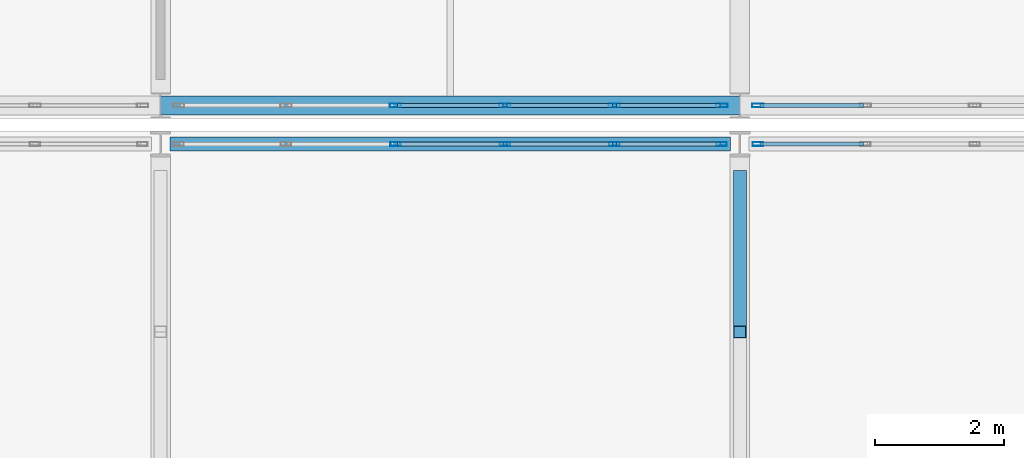
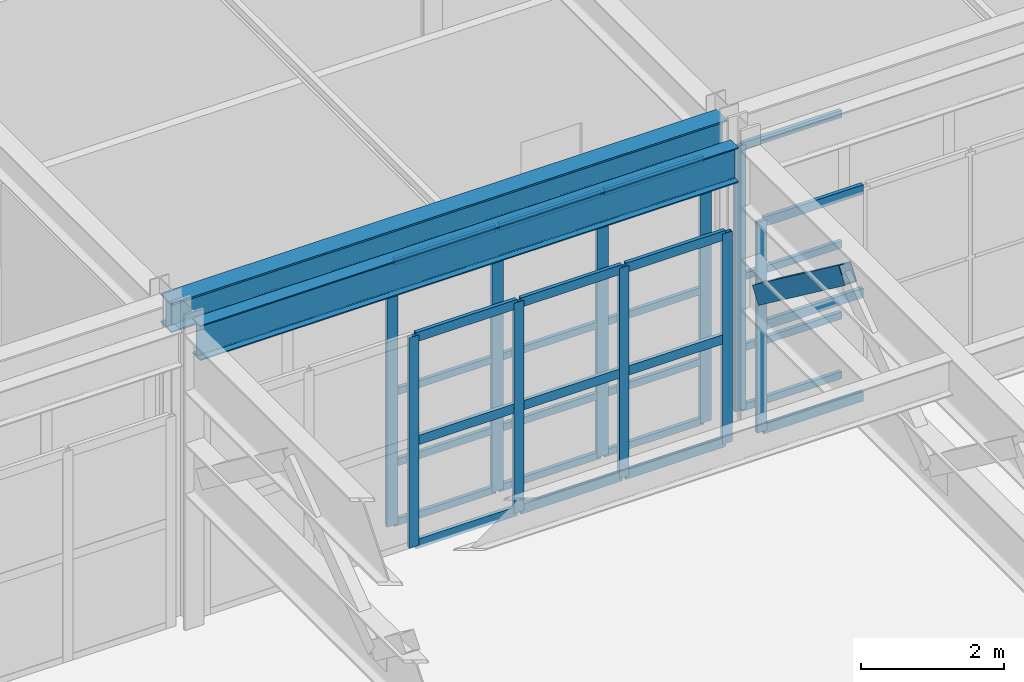
# One storey, part 45 of 210: 39 members, 2 beams, 4 elements without a shape of their own.
"""IFC4 building model written with IfcOpenShell, lengths in metres."""

from ifc_helpers import new_model, si_unit, direction, frame, origin, origin_2d, place, context, subcontext, project, spatial, hollow_rectangle, i_section, extrude, material, material_profile, profile_set, type_object, element, aggregate, save


model = new_model("IFC4")

# Units and contexts
model_context = context("Model", 3, precision=1e-05, world=origin(), true_north=direction((0.0, 1.0)))
body_context = subcontext(model_context, "Body", "Model", "MODEL_VIEW")
ifc_project = project(units=[si_unit("LENGTHUNIT", "METRE"), si_unit("AREAUNIT", "SQUARE_METRE"), si_unit("VOLUMEUNIT", "CUBIC_METRE"), si_unit("PLANEANGLEUNIT", "RADIAN"), si_unit("MASSUNIT", "GRAM", prefix="KILO")], contexts=[model_context])

# Site, building, storey
site_placement = place(None, origin())
site = spatial("IfcSite", under=ifc_project, at=site_placement, CompositionType="ELEMENT")
building_placement = place(site_placement, origin())
building = spatial("IfcBuilding", under=site, at=building_placement, Name="Kaldris Quays Convention Centre", CompositionType="ELEMENT")
storey_placement = place(building_placement, frame((0.0, 0.0, 6.0)))
storey = spatial("IfcBuildingStorey", under=building, at=storey_placement, Name="L01", CompositionType="ELEMENT", Elevation=6.0)

# Curtain wall, members
ifc_material_1 = material(Name="Anodized aluminium AW-6060 and triple glazing", Category="aluminium")
curtain_wall_type_1 = type_object("IfcCurtainWallType", Name="UNITISED CURTAIN WALL CW05", PredefinedType="NOTDEFINED", material=ifc_material_1)
curtain_wall_1_placement = place(storey_placement, origin())
curtain_wall_1 = element("IfcCurtainWall", 1, at=curtain_wall_1_placement, inside=storey, type_object=curtain_wall_type_1, Name="L01 Unitised Curtain Wall CW05 70", PredefinedType="NOTDEFINED")
ifc_material_2 = material(Name="Anodized aluminium AW-6060", Category="aluminium")
ifc_material_profile_1 = material_profile(ifc_material_2, hollow_rectangle(XDim=0.06005859375, YDim=0.159912109375, WallThickness=0.00390625, at=origin_2d()), Name="RHS 160x60x4")
ifc_profile_set_1 = profile_set([ifc_material_profile_1], Name="Anodized aluminium AW-6060")
member_type_1 = type_object("IfcMemberType", Name="CURTAIN MULLION CWM1", PredefinedType="MULLION", material=ifc_profile_set_1)
member_1_placement = place(storey_placement, frame((68.64990234375, 46.0, 0.0), z_axis=(0.0, 0.0, 1.0), x_axis=(0.0, 1.0, 0.0)))
member_1 = element("IfcMember", 2, at=member_1_placement, type_object=member_type_1, Name="CW05 mullion 3", PredefinedType="MULLION", context=body_context, shape_type="SweptSolid", body=[
    extrude(hollow_rectangle(XDim=0.06005859375, YDim=0.159912109375, WallThickness=0.00390625, at=origin_2d()), origin(), (0.0, 0.0, 1.0), 3.60009765625),
])
member_2_placement = place(storey_placement, frame((70.35009765625, 46.0, 0.0), z_axis=(0.0, 0.0, 1.0), x_axis=(0.0, 1.0, 0.0)))
member_2 = element("IfcMember", 3, at=member_2_placement, type_object=member_type_1, Name="CW05 mullion 4", PredefinedType="MULLION", context=body_context, shape_type="SweptSolid", body=[
    extrude(hollow_rectangle(XDim=0.06005859375, YDim=0.159912109375, WallThickness=0.00390625, at=origin_2d()), origin(), (0.0, 0.0, 1.0), 3.60009765625),
])
member_3_placement = place(storey_placement, frame((72.050048828125, 46.0, 0.0), z_axis=(0.0, 0.0, 1.0), x_axis=(0.0, 1.0, 0.0)))
member_3 = element("IfcMember", 4, at=member_3_placement, type_object=member_type_1, Name="CW05 mullion 5", PredefinedType="MULLION", context=body_context, shape_type="SweptSolid", body=[
    extrude(hollow_rectangle(XDim=0.06005859375, YDim=0.159912109375, WallThickness=0.00390625, at=origin_2d()), origin(), (0.0, 0.0, 1.0), 3.60009765625),
])
member_4_placement = place(storey_placement, frame((73.719970703125, 46.0, 0.0), z_axis=(0.0, 0.0, 1.0), x_axis=(0.0, 1.0, 0.0)))
member_4 = element("IfcMember", 5, at=member_4_placement, type_object=member_type_1, Name="CW05 mullion 6", PredefinedType="MULLION", context=body_context, shape_type="SweptSolid", body=[
    extrude(hollow_rectangle(XDim=0.06005859375, YDim=0.159912109375, WallThickness=0.00390625, at=origin_2d()), origin(), (0.0, 0.0, 1.0), 3.60009765625),
])

# Curtain wall, member
curtain_wall_2_placement = place(storey_placement, origin())
curtain_wall_2 = element("IfcCurtainWall", 6, at=curtain_wall_2_placement, inside=storey, type_object=curtain_wall_type_1, Name="L01 Unitised Curtain Wall CW05 72", PredefinedType="NOTDEFINED")
member_5_placement = place(storey_placement, frame((74.280029296875, 46.0, 0.0), z_axis=(0.0, 0.0, 1.0), x_axis=(0.0, 1.0, 0.0)))
member_5 = element("IfcMember", 7, at=member_5_placement, type_object=member_type_1, Name="CW05 mullion 1", PredefinedType="MULLION", context=body_context, shape_type="SweptSolid", body=[
    extrude(hollow_rectangle(XDim=0.06005859375, YDim=0.159912109375, WallThickness=0.00390625, at=origin_2d()), origin(), (0.0, 0.0, 1.0), 3.60009765625),
])

# Curtain wall, members
curtain_wall_type_2 = type_object("IfcCurtainWallType", Name="UNITISED CURTAIN WALL CW02", PredefinedType="NOTDEFINED", material=ifc_material_1)
curtain_wall_3_placement = place(storey_placement, origin())
curtain_wall_3 = element("IfcCurtainWall", 8, at=curtain_wall_3_placement, inside=storey, type_object=curtain_wall_type_2, Name="L01 Unitised Curtain Wall CW02 94", PredefinedType="NOTDEFINED")
ifc_material_profile_2 = material_profile(ifc_material_2, hollow_rectangle(XDim=0.06005859375, YDim=0.179931640625, WallThickness=0.0048828125, at=origin_2d()), Name="RHS 180x60x5")
ifc_profile_set_2 = profile_set([ifc_material_profile_2], Name="Anodized aluminium AW-6060")
member_type_2 = type_object("IfcMemberType", Name="CURTAIN MULLION CWM2", PredefinedType="MULLION", material=ifc_profile_set_2)
member_6_placement = place(storey_placement, frame((68.64990234375, 46.60009765625, 0.0), z_axis=(0.0, 0.0, 1.0), x_axis=(0.0, 1.0, 0.0)))
member_6 = element("IfcMember", 9, at=member_6_placement, type_object=member_type_2, Name="CW02 mullion 3", PredefinedType="MULLION", context=body_context, shape_type="SweptSolid", body=[
    extrude(hollow_rectangle(XDim=0.06005859375, YDim=0.179931640625, WallThickness=0.0048828125, at=origin_2d()), origin(), (0.0, 0.0, 1.0), 4.528076171875),
])
member_7_placement = place(storey_placement, frame((70.35009765625, 46.60009765625, 0.0), z_axis=(0.0, 0.0, 1.0), x_axis=(0.0, 1.0, 0.0)))
member_7 = element("IfcMember", 10, at=member_7_placement, type_object=member_type_2, Name="CW02 mullion 4", PredefinedType="MULLION", context=body_context, shape_type="SweptSolid", body=[
    extrude(hollow_rectangle(XDim=0.06005859375, YDim=0.179931640625, WallThickness=0.0048828125, at=origin_2d()), origin(), (0.0, 0.0, 1.0), 4.528076171875),
])
member_8_placement = place(storey_placement, frame((72.050048828125, 46.60009765625, 0.0), z_axis=(0.0, 0.0, 1.0), x_axis=(0.0, 1.0, 0.0)))
member_8 = element("IfcMember", 11, at=member_8_placement, type_object=member_type_2, Name="CW02 mullion 5", PredefinedType="MULLION", context=body_context, shape_type="SweptSolid", body=[
    extrude(hollow_rectangle(XDim=0.06005859375, YDim=0.179931640625, WallThickness=0.0048828125, at=origin_2d()), origin(), (0.0, 0.0, 1.0), 4.528076171875),
])
member_9_placement = place(storey_placement, frame((73.719970703125, 46.60009765625, 0.0), z_axis=(0.0, 0.0, 1.0), x_axis=(0.0, 1.0, 0.0)))
member_9 = element("IfcMember", 12, at=member_9_placement, type_object=member_type_2, Name="CW02 mullion 6", PredefinedType="MULLION", context=body_context, shape_type="SweptSolid", body=[
    extrude(hollow_rectangle(XDim=0.06005859375, YDim=0.179931640625, WallThickness=0.0048828125, at=origin_2d()), origin(), (0.0, 0.0, 1.0), 4.528076171875),
])

# Curtain wall, member
curtain_wall_4_placement = place(storey_placement, origin())
curtain_wall_4 = element("IfcCurtainWall", 13, at=curtain_wall_4_placement, inside=storey, type_object=curtain_wall_type_2, Name="L01 Unitised Curtain Wall CW02 95", PredefinedType="NOTDEFINED")
member_10_placement = place(storey_placement, frame((74.280029296875, 46.60009765625, 0.0), z_axis=(0.0, 0.0, 1.0), x_axis=(0.0, 1.0, 0.0)))
member_10 = element("IfcMember", 14, at=member_10_placement, type_object=member_type_2, Name="CW02 mullion 1", PredefinedType="MULLION", context=body_context, shape_type="SweptSolid", body=[
    extrude(hollow_rectangle(XDim=0.06005859375, YDim=0.179931640625, WallThickness=0.0048828125, at=origin_2d()), origin(), (0.0, 0.0, 1.0), 4.528076171875),
])

# Member
ifc_material_profile_3 = material_profile(ifc_material_2, hollow_rectangle(XDim=0.06005859375, YDim=0.1201171875, WallThickness=0.00390625, at=origin_2d()), Name="RHS 120x60x4")
ifc_profile_set_3 = profile_set([ifc_material_profile_3], Name="Anodized aluminium AW-6060")
member_type_3 = type_object("IfcMemberType", Name="CURTAIN TRANSOM CWT1", PredefinedType="USERDEFINED", material=ifc_profile_set_3)
member_11_placement = place(storey_placement, frame((68.679931640625, 46.60009765625, 0.030029296875), z_axis=(1.0, 0.0, 0.0), x_axis=(0.0, 1.0, 0.0)))
member_11 = element("IfcMember", 15, at=member_11_placement, type_object=member_type_3, Name="CW02 transom 3.1", ObjectType="TRANSOM", PredefinedType="USERDEFINED", context=body_context, shape_type="SweptSolid", body=[
    extrude(hollow_rectangle(XDim=0.06005859375, YDim=0.1201171875, WallThickness=0.00390625, at=origin_2d()), origin(), (0.0, 0.0, 1.0), 1.64013671875),
])

member_12_placement = place(storey_placement, frame((68.679931640625, 46.60009765625, 1.050048828125), z_axis=(1.0, 0.0, 0.0), x_axis=(0.0, 1.0, 0.0)))
member_12 = element("IfcMember", 16, at=member_12_placement, type_object=member_type_3, Name="CW02 transom 3.2", ObjectType="TRANSOM", PredefinedType="USERDEFINED", context=body_context, shape_type="SweptSolid", body=[
    extrude(hollow_rectangle(XDim=0.06005859375, YDim=0.1201171875, WallThickness=0.00390625, at=origin_2d()), origin(), (0.0, 0.0, 1.0), 1.64013671875),
])

member_13_placement = place(storey_placement, frame((68.679931640625, 46.60009765625, 2.263916015625), z_axis=(1.0, 0.0, 0.0), x_axis=(0.0, 1.0, 0.0)))
member_13 = element("IfcMember", 17, at=member_13_placement, type_object=member_type_3, Name="CW02 transom 3.3", ObjectType="TRANSOM", PredefinedType="USERDEFINED", context=body_context, shape_type="SweptSolid", body=[
    extrude(hollow_rectangle(XDim=0.06005859375, YDim=0.1201171875, WallThickness=0.00390625, at=origin_2d()), origin(), (0.0, 0.0, 1.0), 1.64013671875),
])

member_14_placement = place(storey_placement, frame((68.679931640625, 46.60009765625, 4.498046875), z_axis=(1.0, 0.0, 0.0), x_axis=(0.0, 1.0, 0.0)))
member_14 = element("IfcMember", 18, at=member_14_placement, type_object=member_type_3, Name="CW02 transom 3.4", ObjectType="TRANSOM", PredefinedType="USERDEFINED", context=body_context, shape_type="SweptSolid", body=[
    extrude(hollow_rectangle(XDim=0.06005859375, YDim=0.1201171875, WallThickness=0.00390625, at=origin_2d()), origin(), (0.0, 0.0, 1.0), 1.64013671875),
])

member_15_placement = place(storey_placement, frame((70.3798828125, 46.60009765625, 0.030029296875), z_axis=(1.0, 0.0, 0.0), x_axis=(0.0, 1.0, 0.0)))
member_15 = element("IfcMember", 19, at=member_15_placement, type_object=member_type_3, Name="CW02 transom 4.1", ObjectType="TRANSOM", PredefinedType="USERDEFINED", context=body_context, shape_type="SweptSolid", body=[
    extrude(hollow_rectangle(XDim=0.06005859375, YDim=0.1201171875, WallThickness=0.00390625, at=origin_2d()), origin(), (0.0, 0.0, 1.0), 1.64013671875),
])

member_16_placement = place(storey_placement, frame((70.3798828125, 46.60009765625, 1.050048828125), z_axis=(1.0, 0.0, 0.0), x_axis=(0.0, 1.0, 0.0)))
member_16 = element("IfcMember", 20, at=member_16_placement, type_object=member_type_3, Name="CW02 transom 4.2", ObjectType="TRANSOM", PredefinedType="USERDEFINED", context=body_context, shape_type="SweptSolid", body=[
    extrude(hollow_rectangle(XDim=0.06005859375, YDim=0.1201171875, WallThickness=0.00390625, at=origin_2d()), origin(), (0.0, 0.0, 1.0), 1.64013671875),
])

member_17_placement = place(storey_placement, frame((70.3798828125, 46.60009765625, 2.263916015625), z_axis=(1.0, 0.0, 0.0), x_axis=(0.0, 1.0, 0.0)))
member_17 = element("IfcMember", 21, at=member_17_placement, type_object=member_type_3, Name="CW02 transom 4.3", ObjectType="TRANSOM", PredefinedType="USERDEFINED", context=body_context, shape_type="SweptSolid", body=[
    extrude(hollow_rectangle(XDim=0.06005859375, YDim=0.1201171875, WallThickness=0.00390625, at=origin_2d()), origin(), (0.0, 0.0, 1.0), 1.64013671875),
])

member_18_placement = place(storey_placement, frame((70.3798828125, 46.60009765625, 4.498046875), z_axis=(1.0, 0.0, 0.0), x_axis=(0.0, 1.0, 0.0)))
member_18 = element("IfcMember", 22, at=member_18_placement, type_object=member_type_3, Name="CW02 transom 4.4", ObjectType="TRANSOM", PredefinedType="USERDEFINED", context=body_context, shape_type="SweptSolid", body=[
    extrude(hollow_rectangle(XDim=0.06005859375, YDim=0.1201171875, WallThickness=0.00390625, at=origin_2d()), origin(), (0.0, 0.0, 1.0), 1.64013671875),
])

member_19_placement = place(storey_placement, frame((72.080078125, 46.60009765625, 0.030029296875), z_axis=(1.0, 0.0, 0.0), x_axis=(0.0, 1.0, 0.0)))
member_19 = element("IfcMember", 23, at=member_19_placement, type_object=member_type_3, Name="CW02 transom 5.1", ObjectType="TRANSOM", PredefinedType="USERDEFINED", context=body_context, shape_type="SweptSolid", body=[
    extrude(hollow_rectangle(XDim=0.06005859375, YDim=0.1201171875, WallThickness=0.00390625, at=origin_2d()), origin(), (0.0, 0.0, 1.0), 1.60986328125),
])

member_20_placement = place(storey_placement, frame((72.080078125, 46.60009765625, 1.050048828125), z_axis=(1.0, 0.0, 0.0), x_axis=(0.0, 1.0, 0.0)))
member_20 = element("IfcMember", 24, at=member_20_placement, type_object=member_type_3, Name="CW02 transom 5.2", ObjectType="TRANSOM", PredefinedType="USERDEFINED", context=body_context, shape_type="SweptSolid", body=[
    extrude(hollow_rectangle(XDim=0.06005859375, YDim=0.1201171875, WallThickness=0.00390625, at=origin_2d()), origin(), (0.0, 0.0, 1.0), 1.60986328125),
])

member_21_placement = place(storey_placement, frame((72.080078125, 46.60009765625, 2.263916015625), z_axis=(1.0, 0.0, 0.0), x_axis=(0.0, 1.0, 0.0)))
member_21 = element("IfcMember", 25, at=member_21_placement, type_object=member_type_3, Name="CW02 transom 5.3", ObjectType="TRANSOM", PredefinedType="USERDEFINED", context=body_context, shape_type="SweptSolid", body=[
    extrude(hollow_rectangle(XDim=0.06005859375, YDim=0.1201171875, WallThickness=0.00390625, at=origin_2d()), origin(), (0.0, 0.0, 1.0), 1.60986328125),
])

member_22_placement = place(storey_placement, frame((72.080078125, 46.60009765625, 4.498046875), z_axis=(1.0, 0.0, 0.0), x_axis=(0.0, 1.0, 0.0)))
member_22 = element("IfcMember", 26, at=member_22_placement, type_object=member_type_3, Name="CW02 transom 5.4", ObjectType="TRANSOM", PredefinedType="USERDEFINED", context=body_context, shape_type="SweptSolid", body=[
    extrude(hollow_rectangle(XDim=0.06005859375, YDim=0.1201171875, WallThickness=0.00390625, at=origin_2d()), origin(), (0.0, 0.0, 1.0), 1.60986328125),
])

aggregate(curtain_wall_3, [member_6, member_7, member_8, member_9, member_11, member_12, member_13, member_14, member_15, member_16, member_17, member_18, member_19, member_20, member_21, member_22])

member_23_placement = place(storey_placement, frame((74.31005859375, 46.60009765625, 0.030029296875), z_axis=(1.0, 0.0, 0.0), x_axis=(0.0, 1.0, 0.0)))
member_23 = element("IfcMember", 27, at=member_23_placement, type_object=member_type_3, Name="CW02 transom 1.1", ObjectType="TRANSOM", PredefinedType="USERDEFINED", context=body_context, shape_type="SweptSolid", body=[
    extrude(hollow_rectangle(XDim=0.06005859375, YDim=0.1201171875, WallThickness=0.00390625, at=origin_2d()), origin(), (0.0, 0.0, 1.0), 1.60986328125),
])

member_24_placement = place(storey_placement, frame((74.31005859375, 46.60009765625, 1.050048828125), z_axis=(1.0, 0.0, 0.0), x_axis=(0.0, 1.0, 0.0)))
member_24 = element("IfcMember", 28, at=member_24_placement, type_object=member_type_3, Name="CW02 transom 1.2", ObjectType="TRANSOM", PredefinedType="USERDEFINED", context=body_context, shape_type="SweptSolid", body=[
    extrude(hollow_rectangle(XDim=0.06005859375, YDim=0.1201171875, WallThickness=0.00390625, at=origin_2d()), origin(), (0.0, 0.0, 1.0), 1.60986328125),
])

member_25_placement = place(storey_placement, frame((74.31005859375, 46.60009765625, 2.263916015625), z_axis=(1.0, 0.0, 0.0), x_axis=(0.0, 1.0, 0.0)))
member_25 = element("IfcMember", 29, at=member_25_placement, type_object=member_type_3, Name="CW02 transom 1.3", ObjectType="TRANSOM", PredefinedType="USERDEFINED", context=body_context, shape_type="SweptSolid", body=[
    extrude(hollow_rectangle(XDim=0.06005859375, YDim=0.1201171875, WallThickness=0.00390625, at=origin_2d()), origin(), (0.0, 0.0, 1.0), 1.60986328125),
])

member_26_placement = place(storey_placement, frame((74.31005859375, 46.60009765625, 4.498046875), z_axis=(1.0, 0.0, 0.0), x_axis=(0.0, 1.0, 0.0)))
member_26 = element("IfcMember", 30, at=member_26_placement, type_object=member_type_3, Name="CW02 transom 1.4", ObjectType="TRANSOM", PredefinedType="USERDEFINED", context=body_context, shape_type="SweptSolid", body=[
    extrude(hollow_rectangle(XDim=0.06005859375, YDim=0.1201171875, WallThickness=0.00390625, at=origin_2d()), origin(), (0.0, 0.0, 1.0), 1.60986328125),
])

aggregate(curtain_wall_4, [member_10, member_23, member_24, member_25, member_26])

ifc_material_profile_4 = material_profile(ifc_material_2, hollow_rectangle(XDim=0.06005859375, YDim=0.159912109375, WallThickness=0.00390625, at=origin_2d()), Name="RHS 160x60x4")
ifc_profile_set_4 = profile_set([ifc_material_profile_4], Name="Anodized aluminium AW-6060")
member_type_4 = type_object("IfcMemberType", Name="CURTAIN TRANSOM CWT2", PredefinedType="USERDEFINED", material=ifc_profile_set_4)
member_27_placement = place(storey_placement, frame((68.679931640625, 46.0, 0.030029296875), z_axis=(1.0, 0.0, 0.0), x_axis=(0.0, 1.0, 0.0)))
member_27 = element("IfcMember", 31, at=member_27_placement, type_object=member_type_4, Name="CW05 transom 3.1", ObjectType="TRANSOM", PredefinedType="USERDEFINED", context=body_context, shape_type="SweptSolid", body=[
    extrude(hollow_rectangle(XDim=0.06005859375, YDim=0.159912109375, WallThickness=0.00390625, at=origin_2d()), origin(), (0.0, 0.0, 1.0), 1.64013671875),
])

member_28_placement = place(storey_placement, frame((68.679931640625, 46.0, 1.800048828125), z_axis=(1.0, 0.0, 0.0), x_axis=(0.0, 1.0, 0.0)))
member_28 = element("IfcMember", 32, at=member_28_placement, type_object=member_type_4, Name="CW05 transom 3.2", ObjectType="TRANSOM", PredefinedType="USERDEFINED", context=body_context, shape_type="SweptSolid", body=[
    extrude(hollow_rectangle(XDim=0.06005859375, YDim=0.159912109375, WallThickness=0.00390625, at=origin_2d()), origin(), (0.0, 0.0, 1.0), 1.64013671875),
])

member_29_placement = place(storey_placement, frame((68.679931640625, 46.0, 3.570068359375), z_axis=(1.0, 0.0, 0.0), x_axis=(0.0, 1.0, 0.0)))
member_29 = element("IfcMember", 33, at=member_29_placement, type_object=member_type_4, Name="CW05 transom 3.3", ObjectType="TRANSOM", PredefinedType="USERDEFINED", context=body_context, shape_type="SweptSolid", body=[
    extrude(hollow_rectangle(XDim=0.06005859375, YDim=0.159912109375, WallThickness=0.00390625, at=origin_2d()), origin(), (0.0, 0.0, 1.0), 1.64013671875),
])

member_30_placement = place(storey_placement, frame((70.3798828125, 46.0, 0.030029296875), z_axis=(1.0, 0.0, 0.0), x_axis=(0.0, 1.0, 0.0)))
member_30 = element("IfcMember", 34, at=member_30_placement, type_object=member_type_4, Name="CW05 transom 4.1", ObjectType="TRANSOM", PredefinedType="USERDEFINED", context=body_context, shape_type="SweptSolid", body=[
    extrude(hollow_rectangle(XDim=0.06005859375, YDim=0.159912109375, WallThickness=0.00390625, at=origin_2d()), origin(), (0.0, 0.0, 1.0), 1.64013671875),
])

member_31_placement = place(storey_placement, frame((70.3798828125, 46.0, 1.800048828125), z_axis=(1.0, 0.0, 0.0), x_axis=(0.0, 1.0, 0.0)))
member_31 = element("IfcMember", 35, at=member_31_placement, type_object=member_type_4, Name="CW05 transom 4.2", ObjectType="TRANSOM", PredefinedType="USERDEFINED", context=body_context, shape_type="SweptSolid", body=[
    extrude(hollow_rectangle(XDim=0.06005859375, YDim=0.159912109375, WallThickness=0.00390625, at=origin_2d()), origin(), (0.0, 0.0, 1.0), 1.64013671875),
])

member_32_placement = place(storey_placement, frame((70.3798828125, 46.0, 3.570068359375), z_axis=(1.0, 0.0, 0.0), x_axis=(0.0, 1.0, 0.0)))
member_32 = element("IfcMember", 36, at=member_32_placement, type_object=member_type_4, Name="CW05 transom 4.3", ObjectType="TRANSOM", PredefinedType="USERDEFINED", context=body_context, shape_type="SweptSolid", body=[
    extrude(hollow_rectangle(XDim=0.06005859375, YDim=0.159912109375, WallThickness=0.00390625, at=origin_2d()), origin(), (0.0, 0.0, 1.0), 1.64013671875),
])

member_33_placement = place(storey_placement, frame((72.080078125, 46.0, 0.030029296875), z_axis=(1.0, 0.0, 0.0), x_axis=(0.0, 1.0, 0.0)))
member_33 = element("IfcMember", 37, at=member_33_placement, type_object=member_type_4, Name="CW05 transom 5.1", ObjectType="TRANSOM", PredefinedType="USERDEFINED", context=body_context, shape_type="SweptSolid", body=[
    extrude(hollow_rectangle(XDim=0.06005859375, YDim=0.159912109375, WallThickness=0.00390625, at=origin_2d()), origin(), (0.0, 0.0, 1.0), 1.60986328125),
])

member_34_placement = place(storey_placement, frame((72.080078125, 46.0, 1.800048828125), z_axis=(1.0, 0.0, 0.0), x_axis=(0.0, 1.0, 0.0)))
member_34 = element("IfcMember", 38, at=member_34_placement, type_object=member_type_4, Name="CW05 transom 5.2", ObjectType="TRANSOM", PredefinedType="USERDEFINED", context=body_context, shape_type="SweptSolid", body=[
    extrude(hollow_rectangle(XDim=0.06005859375, YDim=0.159912109375, WallThickness=0.00390625, at=origin_2d()), origin(), (0.0, 0.0, 1.0), 1.60986328125),
])

member_35_placement = place(storey_placement, frame((72.080078125, 46.0, 3.570068359375), z_axis=(1.0, 0.0, 0.0), x_axis=(0.0, 1.0, 0.0)))
member_35 = element("IfcMember", 39, at=member_35_placement, type_object=member_type_4, Name="CW05 transom 5.3", ObjectType="TRANSOM", PredefinedType="USERDEFINED", context=body_context, shape_type="SweptSolid", body=[
    extrude(hollow_rectangle(XDim=0.06005859375, YDim=0.159912109375, WallThickness=0.00390625, at=origin_2d()), origin(), (0.0, 0.0, 1.0), 1.60986328125),
])

aggregate(curtain_wall_1, [member_1, member_2, member_3, member_4, member_27, member_28, member_29, member_30, member_31, member_32, member_33, member_34, member_35])

member_36_placement = place(storey_placement, frame((74.31005859375, 46.0, 0.030029296875), z_axis=(1.0, 0.0, 0.0), x_axis=(0.0, 1.0, 0.0)))
member_36 = element("IfcMember", 40, at=member_36_placement, type_object=member_type_4, Name="CW05 transom 1.1", ObjectType="TRANSOM", PredefinedType="USERDEFINED", context=body_context, shape_type="SweptSolid", body=[
    extrude(hollow_rectangle(XDim=0.06005859375, YDim=0.159912109375, WallThickness=0.00390625, at=origin_2d()), origin(), (0.0, 0.0, 1.0), 1.60986328125),
])

member_37_placement = place(storey_placement, frame((74.31005859375, 46.0, 1.800048828125), z_axis=(1.0, 0.0, 0.0), x_axis=(0.0, 1.0, 0.0)))
member_37 = element("IfcMember", 41, at=member_37_placement, type_object=member_type_4, Name="CW05 transom 1.2", ObjectType="TRANSOM", PredefinedType="USERDEFINED", context=body_context, shape_type="SweptSolid", body=[
    extrude(hollow_rectangle(XDim=0.06005859375, YDim=0.159912109375, WallThickness=0.00390625, at=origin_2d()), origin(), (0.0, 0.0, 1.0), 1.60986328125),
])

member_38_placement = place(storey_placement, frame((74.31005859375, 46.0, 3.570068359375), z_axis=(1.0, 0.0, 0.0), x_axis=(0.0, 1.0, 0.0)))
member_38 = element("IfcMember", 42, at=member_38_placement, type_object=member_type_4, Name="CW05 transom 1.3", ObjectType="TRANSOM", PredefinedType="USERDEFINED", context=body_context, shape_type="SweptSolid", body=[
    extrude(hollow_rectangle(XDim=0.06005859375, YDim=0.159912109375, WallThickness=0.00390625, at=origin_2d()), origin(), (0.0, 0.0, 1.0), 1.60986328125),
])

aggregate(curtain_wall_2, [member_5, member_36, member_37, member_38])

# Beams
ifc_material_3 = material(Name="Steel S355J2", Category="steel")
ifc_material_profile_5 = material_profile(ifc_material_3, i_section(OverallWidth=0.300048828125, OverallDepth=0.5, WebThickness=0.014404296875, FlangeThickness=0.028076171875, FilletRadius=0.027099609375, at=origin_2d()), Name="HEB 500")
ifc_profile_set_5 = profile_set([ifc_material_profile_5], Name="Steel S355J2")
beam_type_1 = type_object("IfcBeamType", Name="STRUCTURAL BEAM BM06", PredefinedType="BEAM", material=ifc_profile_set_5)
beam_1_placement = place(storey_placement, frame((64.99951171875, 46.60009765625, 4.89306640625), z_axis=(1.0, 0.0, 0.0), x_axis=(0.0, 1.0, 0.0)))
element("IfcBeam", 43, at=beam_1_placement, inside=storey, type_object=beam_type_1, Name="L01 Girder BM06 5", PredefinedType="BEAM", context=body_context, shape_type="SweptSolid", body=[
    extrude(i_section(OverallWidth=0.300048828125, OverallDepth=0.5, WebThickness=0.014404296875, FlangeThickness=0.028076171875, FilletRadius=0.027099609375, at=origin_2d()), origin(), (0.0, 0.0, 1.0), 9.0009765625),
])
ifc_material_profile_6 = material_profile(ifc_material_3, i_section(OverallWidth=0.219970703125, OverallDepth=0.60009765625, WebThickness=0.011962890625, FlangeThickness=0.01904296875, FilletRadius=0.02392578125, at=origin_2d()), Name="IPE 600")
ifc_profile_set_6 = profile_set([ifc_material_profile_6], Name="Steel S355J2")
beam_type_2 = type_object("IfcBeamType", Name="STRUCTURAL BEAM BM10", PredefinedType="BEAM", material=ifc_profile_set_6)
beam_2_placement = place(storey_placement, frame((65.14501953125, 46.0, 4.758056640625), z_axis=(1.0, 0.0, 0.0), x_axis=(0.0, 1.0, 0.0)))
element("IfcBeam", 44, at=beam_2_placement, inside=storey, type_object=beam_type_2, Name="L01 Ballroom Tie Beam BM10", PredefinedType="BEAM", context=body_context, shape_type="SweptSolid", body=[
    extrude(i_section(OverallWidth=0.219970703125, OverallDepth=0.60009765625, WebThickness=0.011962890625, FlangeThickness=0.01904296875, FilletRadius=0.02392578125, at=origin_2d()), origin(), (0.0, 0.0, 1.0), 8.7099609375),
])

# Member
ifc_material_4 = material(Name="Steel S355J2H", Category="steel")
ifc_material_profile_7 = material_profile(ifc_material_4, hollow_rectangle(XDim=0.199951171875, YDim=0.300048828125, WallThickness=0.012451171875, at=origin_2d()), Name="RHS 300x200x12.5")
ifc_profile_set_7 = profile_set([ifc_material_profile_7], Name="Steel S355J2H")
member_type_5 = type_object("IfcMemberType", Name="STRUCTURAL MEMBER TTD1", PredefinedType="BRACE", material=ifc_profile_set_7)
member_39_placement = place(storey_placement, frame((74.0, 45.5, 2.75), z_axis=(0.0, -0.801084905857, 0.598550727681), x_axis=(1.0, 0.0, 0.0)))
element("IfcMember", 45, at=member_39_placement, inside=storey, type_object=member_type_5, Name="Transfer Truss TT07 Diagonal 10", PredefinedType="BRACE", context=body_context, shape_type="SweptSolid", body=[
    extrude(hollow_rectangle(XDim=0.199951171875, YDim=0.300048828125, WallThickness=0.012451171875, at=origin_2d()), origin(), (0.0, 0.0, 1.0), 3.020751953125),
])

save(model, "model.ifc")
